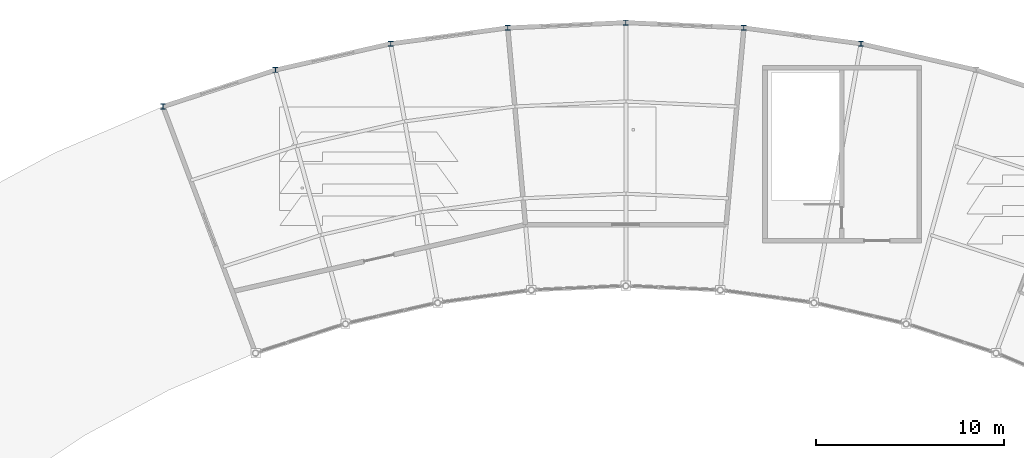
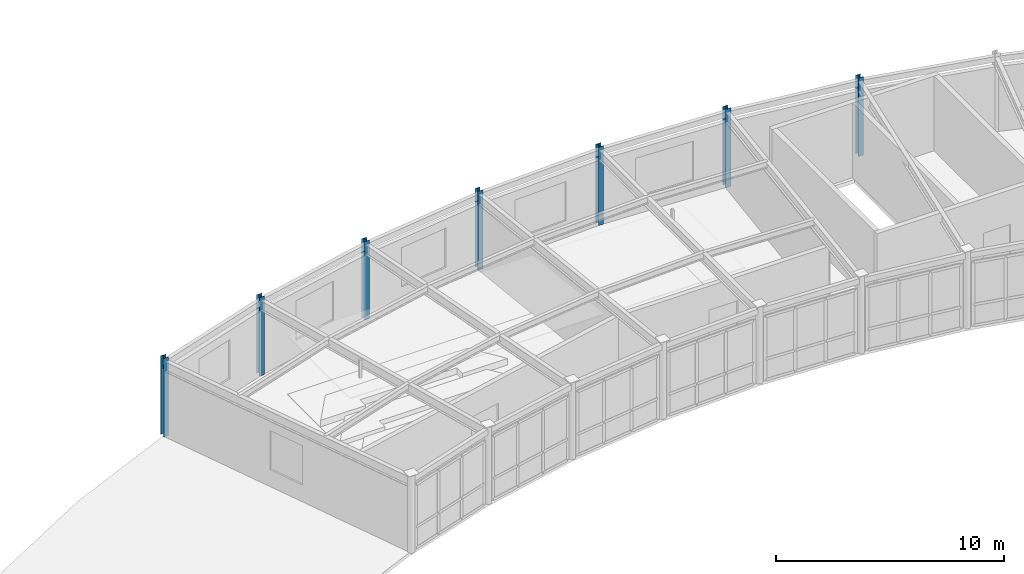
# One storey, part 8 of 54: 7 columns.
"""IFC4 building model written with IfcOpenShell, lengths in metres."""

import ifcopenshell
import ifcopenshell.guid

model = None  # the IFC model being written
_history = None  # IfcOwnerHistory: only IFC2X3 demands one
_inside = {}  # id of a spatial element -> (the spatial element, [elements in it])
_under = {}  # id of a project, library or spatial element -> (it, [spatial elements below it])
_declared = {}  # id of a project -> (the project, [libraries it declares])
_typed = {}  # id of a type object -> (the type object, [elements of that type])
_made_of = {}  # id of a material, layer set ... -> (it, [elements and type objects made of it])


def new_model(schema):
    """Start an empty IFC model of exactly this schema.

    Asked for "IFC4X3", IfcOpenShell would pick the latest addendum, in which some entities
    have other attributes; the version numbers below select the first issue.
    IFC2X3 requires an IfcOwnerHistory on every rooted entity: one is made here for all.
    """
    global model, _history
    if schema == "IFC4X3":
        model = ifcopenshell.file(schema_version=(4, 3, 0, 0))
    else:
        model = ifcopenshell.file(schema=schema)
    _inside.clear()
    _under.clear()
    _declared.clear()
    _typed.clear()
    _made_of.clear()
    _history = None
    if model.schema == "IFC2X3":
        org = make("IfcOrganization", Name="unknown")
        user = make(
            "IfcPersonAndOrganization",
            ThePerson=make("IfcPerson", FamilyName="unknown"),
            TheOrganization=org,
        )
        app = make(
            "IfcApplication",
            ApplicationDeveloper=org,
            Version="unknown",
            ApplicationFullName="unknown",
            ApplicationIdentifier="unknown",
        )
        _history = make(
            "IfcOwnerHistory",
            OwningUser=user,
            OwningApplication=app,
            ChangeAction="ADDED",
            CreationDate=0,
        )
    return model


def make(cls, **values):
    """One entity of the class cls with the attributes given. An attribute that is None is left unset."""
    return model.create_entity(
        cls, **{name: value for name, value in values.items() if value is not None}
    )


def rooted(cls, **values):
    """An entity with a GlobalId (a new one), such as an element, a storey or a relation."""
    return make(cls, GlobalId=ifcopenshell.guid.new(), OwnerHistory=_history, **values)


def si_unit(unit_type, name, prefix=None):
    """IfcSIUnit, for example si_unit("LENGTHUNIT", "METRE", prefix="MILLI")."""
    return make("IfcSIUnit", UnitType=unit_type, Prefix=prefix, Name=name)


def assignment(units):
    """IfcUnitAssignment: the units of a project."""
    return None if units is None else make("IfcUnitAssignment", Units=units)


def point(xyz):
    """IfcCartesianPoint."""
    return None if xyz is None else make("IfcCartesianPoint", Coordinates=xyz)


def direction(xyz):
    """IfcDirection."""
    return None if xyz is None else make("IfcDirection", DirectionRatios=xyz)


def frame(location, z_axis=None, x_axis=None):
    """IfcAxis2Placement3D, a coordinate frame: its origin and axes. An axis left out is left unset."""
    return make(
        "IfcAxis2Placement3D",
        Location=point(location),
        Axis=direction(z_axis),
        RefDirection=direction(x_axis),
    )


def frame_2d(location, x_axis=None):
    """IfcAxis2Placement2D, a coordinate frame in the plane: its origin and x axis."""
    return make(
        "IfcAxis2Placement2D", Location=point(location), RefDirection=direction(x_axis)
    )


def origin():
    """The frame at (0, 0, 0) with its axes left unset."""
    return frame((0.0, 0.0, 0.0))


def origin_2d():
    """The frame at (0, 0) in the plane with its x axis left unset."""
    return frame_2d((0.0, 0.0))


def place(relative_to, where):
    """IfcLocalPlacement: puts the frame where relative to a parent placement (None: the world)."""
    return make(
        "IfcLocalPlacement", PlacementRelTo=relative_to, RelativePlacement=where
    )


def context(
    kind, dimensions, precision=None, world=None, true_north=None, identifier=None
):
    """IfcGeometricRepresentationContext, for example the 3D "Model" context."""
    return make(
        "IfcGeometricRepresentationContext",
        ContextIdentifier=identifier,
        ContextType=kind,
        CoordinateSpaceDimension=dimensions,
        Precision=precision,
        WorldCoordinateSystem=world,
        TrueNorth=true_north,
    )


def subcontext(parent, identifier, kind, view, scale=None):
    """IfcGeometricRepresentationSubContext, for example "Body" below "Model"."""
    return make(
        "IfcGeometricRepresentationSubContext",
        ContextIdentifier=identifier,
        ContextType=kind,
        ParentContext=parent,
        TargetScale=scale,
        TargetView=view,
    )


def project(units=None, contexts=None):
    """IfcProject with its units and contexts."""
    return rooted(
        "IfcProject",
        Name="project",
        RepresentationContexts=contexts,
        UnitsInContext=assignment(units),
    )


def spatial(cls, under=None, at=None, **own):
    """A site, building, storey or space (cls), placed at a placement, below another one or the project."""
    s = rooted(cls, ObjectPlacement=at, **own)
    if under is not None:
        _under.setdefault(under.id(), (under, []))[1].append(s)
    return s


def profile(cls, at=None, kind="AREA", **sizes):
    """A parametric profile (cls). Its sizes go by their IFC names, for example OverallWidth=200.0."""
    return make(cls, ProfileType=kind, Position=at, **sizes)


def i_section(**sizes):
    """IfcIShapeProfileDef."""
    return profile("IfcIShapeProfileDef", **sizes)


def extrude(swept, where, along, depth):
    """IfcExtrudedAreaSolid: the profile swept, set in the frame where, extruded along a direction by depth."""
    return make(
        "IfcExtrudedAreaSolid",
        SweptArea=swept,
        Position=where,
        ExtrudedDirection=direction(along),
        Depth=depth,
    )


def shape(context_of_items, identifier, shape_type, items):
    """IfcShapeRepresentation: the items that make up one representation, for example the "Body"."""
    return make(
        "IfcShapeRepresentation",
        ContextOfItems=context_of_items,
        RepresentationIdentifier=identifier,
        RepresentationType=shape_type,
        Items=items,
    )


def material(Name=None, Category=None):
    """IfcMaterial."""
    return make("IfcMaterial", Name=Name, Category=Category)


def material_profile(
    of_material, cross_section, Name=None, Category=None, Priority=None
):
    """IfcMaterialProfile: a cross section and its material."""
    return make(
        "IfcMaterialProfile",
        Name=Name,
        Material=of_material,
        Profile=cross_section,
        Priority=Priority,
        Category=Category,
    )


def profile_set(profiles, Name=None, composite=None):
    """IfcMaterialProfileSet."""
    return make(
        "IfcMaterialProfileSet",
        Name=Name,
        MaterialProfiles=profiles,
        CompositeProfile=composite,
    )


def made_of(thing, what):
    """Note that an element or type object is made of a material, layer set ...; save() writes the relation."""
    if what is not None:
        _made_of.setdefault(what.id(), (what, []))[1].append(thing)
    return thing


def type_object(cls, material=None, **own):
    """A type object (cls), such as IfcWallType, which elements share."""
    return made_of(rooted(cls, **own), material)


def element(
    cls,
    number,
    at=None,
    inside=None,
    cuts=None,
    type_object=None,
    material=None,
    context=None,
    identifier="Body",
    shape_type=None,
    held_by="IfcProductDefinitionShape",
    body=None,
    shapes=None,
    **own,
):
    """One element of the class cls, such as IfcWall. Its Tag is "e" and its number.

    at: its placement. inside: the storey or other place that contains it. cuts: it is an
    opening in that element (IfcRelVoidsElement). A single representation is given by context,
    identifier, shape_type and body (its items); several are given by shapes. held_by: the class
    of the entity that holds the representations. save() writes the other relations.
    """
    e = rooted(cls, Tag="e%d" % number, ObjectPlacement=at, **own)
    if body is not None:
        shapes = [shape(context, identifier, shape_type, body)]
    if shapes is not None:
        e.Representation = make(held_by, Representations=shapes)
    if inside is not None:
        _inside.setdefault(inside.id(), (inside, []))[1].append(e)
    if cuts is not None:
        rooted(
            "IfcRelVoidsElement", RelatingBuildingElement=cuts, RelatedOpeningElement=e
        )
    if type_object is not None:
        _typed.setdefault(type_object.id(), (type_object, []))[1].append(e)
    return made_of(e, material)


def aggregate(whole, parts):
    """IfcRelAggregates: a whole, such as a stair, and the parts it consists of."""
    return rooted("IfcRelAggregates", RelatingObject=whole, RelatedObjects=parts)


def save(model, path):
    """Write the relations noted so far, then the file.

    IfcRelAggregates (storeys below a building ...), IfcRelContainedInSpatialStructure (elements
    in a storey), IfcRelDefinesByType, IfcRelAssociatesMaterial and IfcRelDeclares: one each for
    every whole, place, type object, material and project.
    """
    for whole, parts in _under.values():
        aggregate(whole, parts)
    for where, things in _inside.values():
        rooted(
            "IfcRelContainedInSpatialStructure",
            RelatedElements=things,
            RelatingStructure=where,
        )
    for kind, things in _typed.values():
        rooted("IfcRelDefinesByType", RelatedObjects=things, RelatingType=kind)
    for what, things in _made_of.values():
        rooted("IfcRelAssociatesMaterial", RelatedObjects=things, RelatingMaterial=what)
    for by, libraries in _declared.values():
        rooted("IfcRelDeclares", RelatingContext=by, RelatedDefinitions=libraries)
    model.write(path)


model = new_model("IFC4")

# Units and contexts
model_context = context("Model", 3, precision=1e-05, world=origin(), true_north=direction((0.0, 1.0)))
body_context = subcontext(model_context, "Body", "Model", "MODEL_VIEW")
ifc_project = project(units=[si_unit("LENGTHUNIT", "METRE"), si_unit("AREAUNIT", "SQUARE_METRE"), si_unit("VOLUMEUNIT", "CUBIC_METRE"), si_unit("PLANEANGLEUNIT", "RADIAN"), si_unit("MASSUNIT", "GRAM", prefix="KILO")], contexts=[model_context])

# Site, building, storey
site_placement = place(None, origin())
site = spatial("IfcSite", under=ifc_project, at=site_placement, CompositionType="ELEMENT")
building_placement = place(site_placement, origin())
building = spatial("IfcBuilding", under=site, at=building_placement, Name="Selat Folded Stagehouse", CompositionType="ELEMENT")
storey_placement = place(building_placement, frame((0.0, 0.0, 15.0)))
storey = spatial("IfcBuildingStorey", under=building, at=storey_placement, Name="L03", CompositionType="ELEMENT", Elevation=15.0)

# Columns
ifc_material = material(Name="Steel S355", Category="steel")
ifc_material_profile = material_profile(ifc_material, i_section(OverallWidth=0.2587890625, OverallDepth=0.2666015625, WebThickness=0.0126953125, FlangeThickness=0.0205078125, FilletRadius=0.0126953125, at=origin_2d()), Name="UKC 254x254x107")
ifc_profile_set = profile_set([ifc_material_profile], Name="Steel S355")
column_type = type_object("IfcColumnType", Name="COL-UKC-254x254x107", PredefinedType="COLUMN", material=ifc_profile_set)
for number, where, z_axis, x_axis, name in (
    (1, (67.8037109375, 103.536376953125, 0.0), (0.0, 0.0, 1.0), (1.0, 0.0, 0.0), "L03 column STK-V6OUT-03"),
    (2, (73.77734375, 105.477294921875, 0.0), (0.0, 0.0, 1.0), (1.0, 0.0, 0.0), "L03 column STK-V6OUT-04"),
    (3, (79.90087890625, 106.875, 0.0), (0.0, 0.0, 1.0), (1.0, 0.0, 0.0), "L03 column STK-V6OUT-05"),
    (4, (86.125244140625, 107.71826171875, 0.0), (0.0, 0.0, 1.0), (1.0, 0.0, 0.0), "L03 column STK-V6OUT-06"),
    (5, (92.39990234375, 108.0, 0.0), (0.0, 0.0, 1.0), (1.0, 0.0, 0.0), "L03 column STK-V6OUT-07"),
    (6, (98.6748046875, 107.71826171875, 0.0), (0.0, 0.0, 1.0), (1.0, 0.0, 0.0), "L03 column STK-V6OUT-08"),
    (7, (104.89892578125, 106.875, 0.0), (0.0, 0.0, 1.0), (1.0, 0.0, 0.0), "L03 column STK-V6OUT-09"),
):
    element("IfcColumn", number, at=place(storey_placement, frame(where, z_axis=z_axis, x_axis=x_axis)), inside=storey, type_object=column_type, Name=name, PredefinedType="COLUMN", context=body_context, shape_type="SweptSolid", body=[
        extrude(i_section(OverallWidth=0.2587890625, OverallDepth=0.2666015625, WebThickness=0.0126953125, FlangeThickness=0.0205078125, FilletRadius=0.0126953125, at=origin_2d()), origin(), (0.0, 0.0, 1.0), 4.199951171875),
    ])

save(model, "model.ifc")
